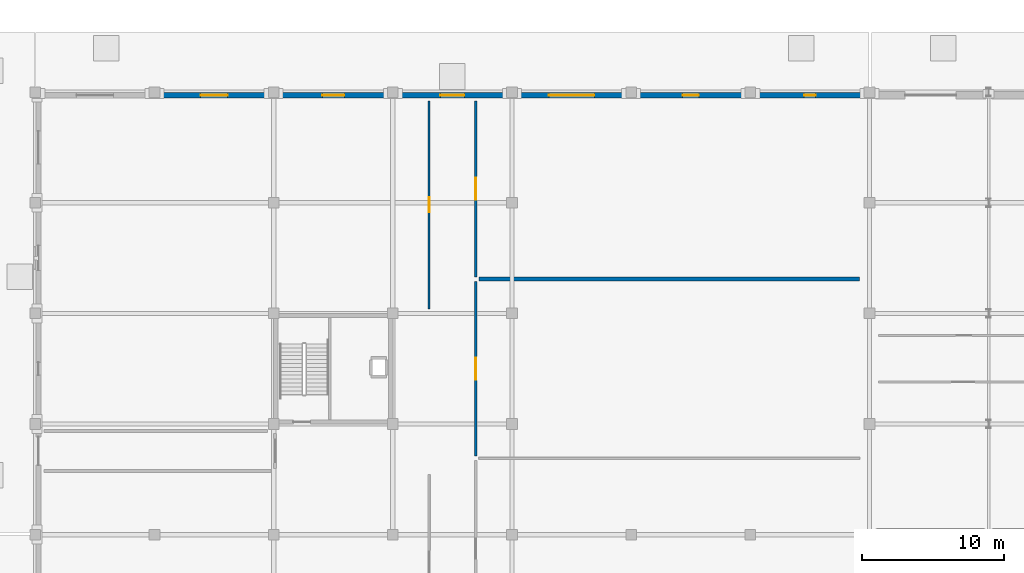
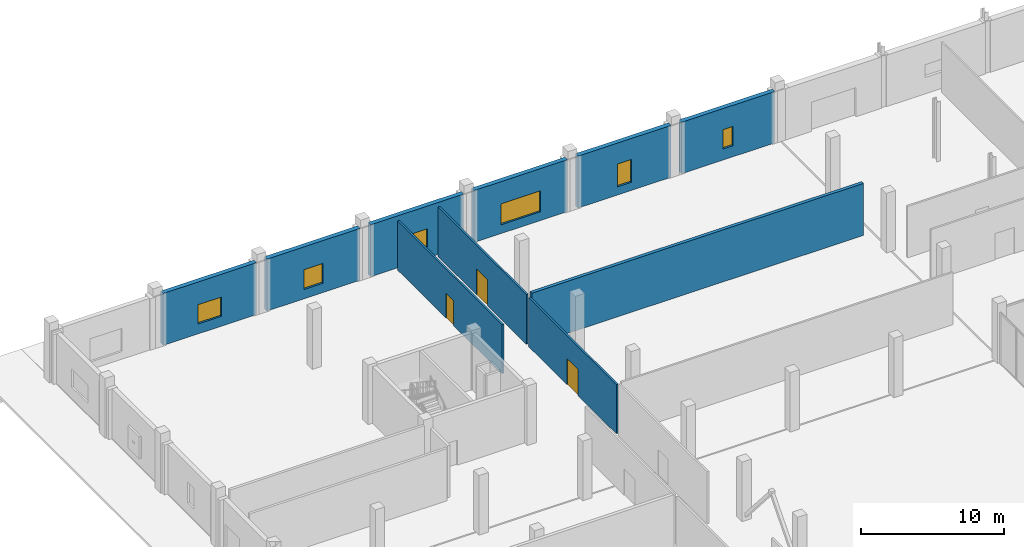
# One storey, part 51 of 80: 10 walls, 6 windows, 3 doors, 9 openings.
"""IFC4 building model written with IfcOpenShell, lengths in metres."""

from ifc_helpers import new_model, si_unit, direction, frame, frame_2d, origin, place, context, subcontext, project, spatial, rectangle, extrude, material, layer, layer_set, type_object, element, fill, save


model = new_model("IFC4")

# Units and contexts
model_context = context("Model", 3, precision=1e-05, world=origin(), true_north=direction((0.0, 1.0)))
body_context = subcontext(model_context, "Body", "Model", "MODEL_VIEW")
ifc_project = project(units=[si_unit("LENGTHUNIT", "METRE"), si_unit("AREAUNIT", "SQUARE_METRE"), si_unit("VOLUMEUNIT", "CUBIC_METRE"), si_unit("PLANEANGLEUNIT", "RADIAN"), si_unit("MASSUNIT", "GRAM", prefix="KILO")], contexts=[model_context])

# Site, building, storey
site_placement = place(None, origin())
site = spatial("IfcSite", under=ifc_project, at=site_placement, CompositionType="ELEMENT")
building_placement = place(site_placement, origin())
building = spatial("IfcBuilding", under=site, at=building_placement, Name="Nabrawat Pavilion Hospital", CompositionType="ELEMENT")
storey_placement = place(building_placement, origin())
storey = spatial("IfcBuildingStorey", under=building, at=storey_placement, Name="L00", CompositionType="ELEMENT", Elevation=0.0)

# Wall, opening, door
ifc_material_1 = material(Name="Gypsum Fireboard on Steel Stud", Category="steel")
ifc_layer_1 = layer(ifc_material_1, 0.14990234375, Name="Gypsum Fireboard on Steel Stud")
ifc_layer_set_1 = layer_set([ifc_layer_1], Name="Gypsum Fireboard on Steel Stud")
wall_type_1 = type_object("IfcWallType", Name="Clinical Corridor Smoke-Barrier Wall 150", PredefinedType="PARTITIONING", material=ifc_layer_set_1)
wall_1_placement = place(storey_placement, frame((27.760009765625, 101.719970703125, 0.0), z_axis=(0.0, 0.0, 1.0), x_axis=(0.0, 1.0, 0.0)))
wall_1 = element("IfcWall", 1, at=wall_1_placement, inside=storey, type_object=wall_type_1, Name="L00 Acute Endoscopy Procedure Room L00-05 Front Partition", PredefinedType="PARTITIONING", context=body_context, shape_type="SweptSolid", body=[
    extrude(rectangle(XDim=14.659912109375, YDim=0.14990234375, at=frame_2d((7.330078125, 0.0))), origin(), (0.0, 0.0, 1.0), 4.2099609375),
])
opening_1_placement = place(wall_1_placement, frame((6.804931640625, 0.0, 0.0)))
opening_1 = element("IfcOpeningElement", 2, at=opening_1_placement, cuts=wall_1, Name="Opening D-OPC-L", PredefinedType="OPENING", context=body_context, shape_type="SweptSolid", body=[
    extrude(rectangle(XDim=1.050048828125, YDim=2.14990234375, at=frame_2d((0.52490234375, 1.074951171875))), frame((0.0, 0.0849609375, 0.0), z_axis=(0.0, -1.0, 0.0), x_axis=(1.0, 0.0, 0.0)), (0.0, 0.0, 1.0), 0.169921875),
])
ifc_material_2 = material(Name="Stainless-Clad Acoustic Timber and Vision Glass", Category="wood")
door_type_1 = type_object("IfcDoorType", Name="Outpatient Clinic Consultation Door L 1050x2150", OperationType="NOTDEFINED", PredefinedType="DOOR", material=ifc_material_2)
door_1_placement = place(opening_1_placement, origin())
door_1 = element("IfcDoor", 3, at=door_1_placement, inside=storey, type_object=door_type_1, Name="Acute Endoscopy Procedure Room L00-05 Door", OperationType="SINGLE_SWING_RIGHT", OverallHeight=2.14990234375, OverallWidth=1.050048828125, PredefinedType="DOOR", context=body_context, shape_type="SweptSolid", body=[
    extrude(rectangle(XDim=1.050048828125, YDim=2.14990234375, at=frame_2d((0.52490234375, 1.074951171875))), frame((0.0, 0.02490234375, 0.0), z_axis=(0.0, -1.0, 0.0), x_axis=(1.0, 0.0, 0.0)), (0.0, 0.0, 1.0), 0.050048828125),
])
fill(opening_1, door_1)

wall_2_placement = place(storey_placement, frame((31.0400390625, 91.340087890625, 0.0), z_axis=(0.0, 0.0, 1.0), x_axis=(0.0, 1.0, 0.0)))
wall_2 = element("IfcWall", 4, at=wall_2_placement, inside=storey, type_object=wall_type_1, Name="L00 Diagnostic Imaging Digital X-Ray Room L00-09 Front Partition", PredefinedType="PARTITIONING", context=body_context, shape_type="SweptSolid", body=[
    extrude(rectangle(XDim=12.31982421875, YDim=0.14990234375, at=frame_2d((6.159912109375, 0.0))), origin(), (0.0, 0.0, 1.0), 4.2099609375),
])
opening_2_placement = place(wall_2_placement, frame((5.385009765625, 0.0, 0.0)))
opening_2 = element("IfcOpeningElement", 5, at=opening_2_placement, cuts=wall_2, Name="Opening D-IMG", PredefinedType="OPENING", context=body_context, shape_type="SweptSolid", body=[
    extrude(rectangle(XDim=1.550048828125, YDim=2.25, at=frame_2d((0.77490234375, 1.125))), frame((0.0, 0.0849609375, 0.0), z_axis=(0.0, -1.0, 0.0), x_axis=(1.0, 0.0, 0.0)), (0.0, 0.0, 1.0), 0.169921875),
])
door_type_2 = type_object("IfcDoorType", Name="Lead-Lined Radiology Shielded Door 1550x2250", OperationType="NOTDEFINED", PredefinedType="DOOR", material=ifc_material_2)
door_2_placement = place(opening_2_placement, origin())
door_2 = element("IfcDoor", 6, at=door_2_placement, inside=storey, type_object=door_type_2, Name="Diagnostic Imaging Digital X-Ray Room L00-09 Door", OperationType="SINGLE_SWING_RIGHT", OverallHeight=2.25, OverallWidth=1.550048828125, PredefinedType="DOOR", context=body_context, shape_type="SweptSolid", body=[
    extrude(rectangle(XDim=1.550048828125, YDim=2.25, at=frame_2d((0.77490234375, 1.125))), frame((0.0, 0.02490234375, 0.0), z_axis=(0.0, -1.0, 0.0), x_axis=(1.0, 0.0, 0.0)), (0.0, 0.0, 1.0), 0.050048828125),
])
fill(opening_2, door_2)

wall_3_placement = place(storey_placement, frame((31.0400390625, 103.97998046875, 0.0), z_axis=(0.0, 0.0, 1.0), x_axis=(0.0, 1.0, 0.0)))
wall_3 = element("IfcWall", 7, at=wall_3_placement, inside=storey, type_object=wall_type_1, Name="L00 Diagnostic Imaging Ultrasound Suite L00-10 Front Partition", PredefinedType="PARTITIONING", context=body_context, shape_type="SweptSolid", body=[
    extrude(rectangle(XDim=12.39990234375, YDim=0.14990234375, at=frame_2d((6.199951171875, 0.0))), origin(), (0.0, 0.0, 1.0), 4.260009765625),
])
opening_3_placement = place(wall_3_placement, frame((5.425048828125, 0.0, 0.0)))
opening_3 = element("IfcOpeningElement", 8, at=opening_3_placement, cuts=wall_3, Name="Opening D-IMG", PredefinedType="OPENING", context=body_context, shape_type="SweptSolid", body=[
    extrude(rectangle(XDim=1.550048828125, YDim=2.25, at=frame_2d((0.77490234375, 1.125))), frame((0.0, 0.0849609375, 0.0), z_axis=(0.0, -1.0, 0.0), x_axis=(1.0, 0.0, 0.0)), (0.0, 0.0, 1.0), 0.169921875),
])
door_3_placement = place(opening_3_placement, origin())
door_3 = element("IfcDoor", 9, at=door_3_placement, inside=storey, type_object=door_type_2, Name="Diagnostic Imaging Ultrasound Suite L00-10 Door", OperationType="SINGLE_SWING_LEFT", OverallHeight=2.25, OverallWidth=1.550048828125, PredefinedType="DOOR", context=body_context, shape_type="SweptSolid", body=[
    extrude(rectangle(XDim=1.550048828125, YDim=2.25, at=frame_2d((0.77490234375, 1.125))), frame((0.0, 0.02490234375, 0.0), z_axis=(0.0, -1.0, 0.0), x_axis=(1.0, 0.0, 0.0)), (0.0, 0.0, 1.0), 0.050048828125),
])
fill(opening_3, door_3)

# Wall
ifc_material_3 = material(Name="Barium Concrete Block", Category="concrete")
ifc_layer_2 = layer(ifc_material_3, 0.260009765625, Name="Barium Concrete Block")
ifc_layer_set_2 = layer_set([ifc_layer_2], Name="Barium Concrete Block")
wall_type_2 = type_object("IfcWallType", Name="Diagnostic X-Ray Barium-Plaster Wall 260", PredefinedType="PARTITIONING", material=ifc_layer_set_2)
wall_4_placement = place(storey_placement, frame((31.260009765625, 103.820068359375, 0.0), z_axis=(0.0, 0.0, 1.0), x_axis=(1.0, 0.0, 0.0)))
element("IfcWall", 10, at=wall_4_placement, inside=storey, type_object=wall_type_2, Name="L00 Diagnostic Imaging Digital X-Ray Room L00-09 Dividing Partition", PredefinedType="PARTITIONING", context=body_context, shape_type="SweptSolid", body=[
    extrude(rectangle(XDim=26.85009765625, YDim=0.260009765625, at=frame_2d((13.425048828125, 0.0))), origin(), (0.0, 0.0, 1.0), 4.4599609375),
])

# Wall, opening, window
ifc_material_4 = material(Name="Precast concrete C40/50", Category="concrete")
ifc_layer_3 = layer(ifc_material_4, 0.360107421875, Name="Precast concrete C40/50")
ifc_layer_set_3 = layer_set([ifc_layer_3], Name="Precast concrete C40/50")
wall_type_3 = type_object("IfcWallType", Name="Surgical Acoustic Precast Facade Wall 360", PredefinedType="SOLIDWALL", material=ifc_layer_set_3)
wall_5_placement = place(storey_placement, frame((8.824951171875, 116.780029296875, 0.0), z_axis=(0.0, 0.0, 1.0), x_axis=(1.0, 0.0, 0.0)))
wall_5 = element("IfcWall", 11, at=wall_5_placement, inside=storey, type_object=wall_type_3, Name="L00 Surgical Acoustic Precast Facade Wall 360 108", PredefinedType="SOLIDWALL", context=body_context, shape_type="SweptSolid", body=[
    extrude(rectangle(XDim=7.550048828125, YDim=0.360107421875, at=frame_2d((3.77490234375, 0.0))), origin(), (0.0, 0.0, 1.0), 4.449951171875),
])
opening_4_placement = place(wall_5_placement, frame((2.824951171875, 0.0, 0.85009765625)))
opening_4 = element("IfcOpeningElement", 12, at=opening_4_placement, cuts=wall_5, Name="Opening WN-23", PredefinedType="OPENING", context=body_context, shape_type="SweptSolid", body=[
    extrude(rectangle(XDim=1.89990234375, YDim=1.64990234375, at=frame_2d((0.949951171875, 0.824951171875))), frame((0.0, 0.18994140625, 0.0), z_axis=(0.0, -1.0, 0.0), x_axis=(1.0, 0.0, 0.0)), (0.0, 0.0, 1.0), 0.380126953125),
])
ifc_material_5 = material(Name="Thermally Broken Aluminium and Solar Glass", Category="aluminium")
window_type_1 = type_object("IfcWindowType", Name="Dialysis Bay Garden Window 1900x1650", PartitioningType="SINGLE_PANEL", PredefinedType="WINDOW", material=ifc_material_5)
window_1_placement = place(opening_4_placement, origin())
window_1 = element("IfcWindow", 13, at=window_1_placement, inside=storey, type_object=window_type_1, Name="L00 Dialysis Bay Garden Window 1900x1650 023", OverallHeight=1.64990234375, OverallWidth=1.89990234375, PartitioningType="SINGLE_PANEL", PredefinedType="WINDOW", context=body_context, shape_type="SweptSolid", body=[
    extrude(rectangle(XDim=1.89990234375, YDim=1.64990234375, at=frame_2d((0.949951171875, 0.824951171875))), frame((0.0, 0.030029296875, 0.0), z_axis=(0.0, -1.0, 0.0), x_axis=(1.0, 0.0, 0.0)), (0.0, 0.0, 1.0), 0.06005859375),
])
fill(opening_4, window_1)

wall_6_placement = place(storey_placement, frame((17.22509765625, 116.780029296875, 0.0), z_axis=(0.0, 0.0, 1.0), x_axis=(1.0, 0.0, 0.0)))
wall_6 = element("IfcWall", 14, at=wall_6_placement, inside=storey, type_object=wall_type_3, Name="L00 Surgical Acoustic Precast Facade Wall 360 109", PredefinedType="SOLIDWALL", context=body_context, shape_type="SweptSolid", body=[
    extrude(rectangle(XDim=7.5498046875, YDim=0.360107421875, at=frame_2d((3.77490234375, 0.0))), origin(), (0.0, 0.0, 1.0), 4.449951171875),
])
opening_5_placement = place(wall_6_placement, frame((3.0, 0.0, 0.800048828125)))
opening_5 = element("IfcOpeningElement", 15, at=opening_5_placement, cuts=wall_6, Name="Opening WN-24", PredefinedType="OPENING", context=body_context, shape_type="SweptSolid", body=[
    extrude(rectangle(XDim=1.550048828125, YDim=1.699951171875, at=frame_2d((0.77490234375, 0.85009765625))), frame((0.0, 0.18994140625, 0.0), z_axis=(0.0, -1.0, 0.0), x_axis=(1.0, 0.0, 0.0)), (0.0, 0.0, 1.0), 0.380126953125),
])
window_type_2 = type_object("IfcWindowType", Name="Maternity Birthing Suite Window 1550x1700", PartitioningType="SINGLE_PANEL", PredefinedType="WINDOW", material=ifc_material_5)
window_2_placement = place(opening_5_placement, origin())
window_2 = element("IfcWindow", 16, at=window_2_placement, inside=storey, type_object=window_type_2, Name="L00 Maternity Birthing Suite Window 1550x1700 024", OverallHeight=1.699951171875, OverallWidth=1.550048828125, PartitioningType="SINGLE_PANEL", PredefinedType="WINDOW", context=body_context, shape_type="SweptSolid", body=[
    extrude(rectangle(XDim=1.550048828125, YDim=1.699951171875, at=frame_2d((0.77490234375, 0.85009765625))), frame((0.0, 0.030029296875, 0.0), z_axis=(0.0, -1.0, 0.0), x_axis=(1.0, 0.0, 0.0)), (0.0, 0.0, 1.0), 0.06005859375),
])
fill(opening_5, window_2)

wall_7_placement = place(storey_placement, frame((25.625, 116.780029296875, 0.0), z_axis=(0.0, 0.0, 1.0), x_axis=(1.0, 0.0, 0.0)))
wall_7 = element("IfcWall", 17, at=wall_7_placement, inside=storey, type_object=wall_type_3, Name="L00 Surgical Acoustic Precast Facade Wall 360 110", PredefinedType="SOLIDWALL", context=body_context, shape_type="SweptSolid", body=[
    extrude(rectangle(XDim=7.550048828125, YDim=0.360107421875, at=frame_2d((3.77490234375, 0.0))), origin(), (0.0, 0.0, 1.0), 4.449951171875),
])
opening_6_placement = place(wall_7_placement, frame((2.925048828125, 0.0, 0.949951171875)))
opening_6 = element("IfcOpeningElement", 18, at=opening_6_placement, cuts=wall_7, Name="Opening WN-25", PredefinedType="OPENING", context=body_context, shape_type="SweptSolid", body=[
    extrude(rectangle(XDim=1.699951171875, YDim=1.550048828125, at=frame_2d((0.85009765625, 0.77490234375))), frame((0.0, 0.18994140625, 0.0), z_axis=(0.0, -1.0, 0.0), x_axis=(1.0, 0.0, 0.0)), (0.0, 0.0, 1.0), 0.380126953125),
])
window_type_3 = type_object("IfcWindowType", Name="Cardiology Telemetry Window 1700x1550", PartitioningType="SINGLE_PANEL", PredefinedType="WINDOW", material=ifc_material_5)
window_3_placement = place(opening_6_placement, origin())
window_3 = element("IfcWindow", 19, at=window_3_placement, inside=storey, type_object=window_type_3, Name="L00 Cardiology Telemetry Window 1700x1550 025", OverallHeight=1.550048828125, OverallWidth=1.699951171875, PartitioningType="SINGLE_PANEL", PredefinedType="WINDOW", context=body_context, shape_type="SweptSolid", body=[
    extrude(rectangle(XDim=1.699951171875, YDim=1.550048828125, at=frame_2d((0.85009765625, 0.77490234375))), frame((0.0, 0.030029296875, 0.0), z_axis=(0.0, -1.0, 0.0), x_axis=(1.0, 0.0, 0.0)), (0.0, 0.0, 1.0), 0.06005859375),
])
fill(opening_6, window_3)

wall_8_placement = place(storey_placement, frame((34.02490234375, 116.780029296875, 0.0), z_axis=(0.0, 0.0, 1.0), x_axis=(1.0, 0.0, 0.0)))
wall_8 = element("IfcWall", 20, at=wall_8_placement, inside=storey, type_object=wall_type_3, Name="L00 Surgical Acoustic Precast Facade Wall 360 111", PredefinedType="SOLIDWALL", context=body_context, shape_type="SweptSolid", body=[
    extrude(rectangle(XDim=7.550048828125, YDim=0.360107421875, at=frame_2d((3.77490234375, 0.0))), origin(), (0.0, 0.0, 1.0), 4.449951171875),
])
opening_7_placement = place(wall_8_placement, frame((2.175048828125, 0.0, 0.75)))
opening_7 = element("IfcOpeningElement", 21, at=opening_7_placement, cuts=wall_8, Name="Opening WN-26", PredefinedType="OPENING", context=body_context, shape_type="SweptSolid", body=[
    extrude(rectangle(XDim=3.199951171875, YDim=1.800048828125, at=frame_2d((1.60009765625, 0.89990234375))), frame((0.0, 0.18994140625, 0.0), z_axis=(0.0, -1.0, 0.0), x_axis=(1.0, 0.0, 0.0)), (0.0, 0.0, 1.0), 0.380126953125),
])
window_type_4 = type_object("IfcWindowType", Name="Dayroom Picture Window 3200x1800", PartitioningType="SINGLE_PANEL", PredefinedType="WINDOW", material=ifc_material_5)
window_4_placement = place(opening_7_placement, origin())
window_4 = element("IfcWindow", 22, at=window_4_placement, inside=storey, type_object=window_type_4, Name="L00 Dayroom Picture Window 3200x1800 026", OverallHeight=1.800048828125, OverallWidth=3.199951171875, PartitioningType="SINGLE_PANEL", PredefinedType="WINDOW", context=body_context, shape_type="SweptSolid", body=[
    extrude(rectangle(XDim=3.199951171875, YDim=1.800048828125, at=frame_2d((1.60009765625, 0.89990234375))), frame((0.0, 0.030029296875, 0.0), z_axis=(0.0, -1.0, 0.0), x_axis=(1.0, 0.0, 0.0)), (0.0, 0.0, 1.0), 0.06005859375),
])
fill(opening_7, window_4)

wall_9_placement = place(storey_placement, frame((42.425048828125, 116.780029296875, 0.0), z_axis=(0.0, 0.0, 1.0), x_axis=(1.0, 0.0, 0.0)))
wall_9 = element("IfcWall", 23, at=wall_9_placement, inside=storey, type_object=wall_type_3, Name="L00 Surgical Acoustic Precast Facade Wall 360 112", PredefinedType="SOLIDWALL", context=body_context, shape_type="SweptSolid", body=[
    extrude(rectangle(XDim=7.550048828125, YDim=0.360107421875, at=frame_2d((3.77490234375, 0.0))), origin(), (0.0, 0.0, 1.0), 4.449951171875),
])
opening_8_placement = place(wall_9_placement, frame((3.199951171875, 0.0, 0.699951171875)))
opening_8 = element("IfcOpeningElement", 24, at=opening_8_placement, cuts=wall_9, Name="Opening WN-27", PredefinedType="OPENING", context=body_context, shape_type="SweptSolid", body=[
    extrude(rectangle(XDim=1.14990234375, YDim=1.949951171875, at=frame_2d((0.574951171875, 0.97509765625))), frame((0.0, 0.18994140625, 0.0), z_axis=(0.0, -1.0, 0.0), x_axis=(1.0, 0.0, 0.0)), (0.0, 0.0, 1.0), 0.380126953125),
])
window_type_5 = type_object("IfcWindowType", Name="Clinical Library Tall Window 1150x1950", PartitioningType="SINGLE_PANEL", PredefinedType="WINDOW", material=ifc_material_5)
window_5_placement = place(opening_8_placement, origin())
window_5 = element("IfcWindow", 25, at=window_5_placement, inside=storey, type_object=window_type_5, Name="L00 Clinical Library Tall Window 1150x1950 027", OverallHeight=1.949951171875, OverallWidth=1.14990234375, PartitioningType="SINGLE_PANEL", PredefinedType="WINDOW", context=body_context, shape_type="SweptSolid", body=[
    extrude(rectangle(XDim=1.14990234375, YDim=1.949951171875, at=frame_2d((0.574951171875, 0.97509765625))), frame((0.0, 0.030029296875, 0.0), z_axis=(0.0, -1.0, 0.0), x_axis=(1.0, 0.0, 0.0)), (0.0, 0.0, 1.0), 0.06005859375),
])
fill(opening_8, window_5)

wall_10_placement = place(storey_placement, frame((50.824951171875, 116.780029296875, 0.0), z_axis=(0.0, 0.0, 1.0), x_axis=(1.0, 0.0, 0.0)))
wall_10 = element("IfcWall", 26, at=wall_10_placement, inside=storey, type_object=wall_type_3, Name="L00 Surgical Acoustic Precast Facade Wall 360 113", PredefinedType="SOLIDWALL", context=body_context, shape_type="SweptSolid", body=[
    extrude(rectangle(XDim=7.550048828125, YDim=0.360107421875, at=frame_2d((3.77490234375, 0.0))), origin(), (0.0, 0.0, 1.0), 4.409912109375),
])
opening_9_placement = place(wall_10_placement, frame((3.375, 0.0, 0.949951171875)))
opening_9 = element("IfcOpeningElement", 27, at=opening_9_placement, cuts=wall_10, Name="Opening WN-28", PredefinedType="OPENING", context=body_context, shape_type="SweptSolid", body=[
    extrude(rectangle(XDim=0.800048828125, YDim=1.64990234375, at=frame_2d((0.39990234375, 0.824951171875))), frame((0.0, 0.18994140625, 0.0), z_axis=(0.0, -1.0, 0.0), x_axis=(1.0, 0.0, 0.0)), (0.0, 0.0, 1.0), 0.380126953125),
])
window_type_6 = type_object("IfcWindowType", Name="Staff Rest Narrow Slot Window 800x1650", PartitioningType="SINGLE_PANEL", PredefinedType="WINDOW", material=ifc_material_5)
window_6_placement = place(opening_9_placement, origin())
window_6 = element("IfcWindow", 28, at=window_6_placement, inside=storey, type_object=window_type_6, Name="L00 Staff Rest Narrow Slot Window 800x1650 028", OverallHeight=1.64990234375, OverallWidth=0.800048828125, PartitioningType="SINGLE_PANEL", PredefinedType="WINDOW", context=body_context, shape_type="SweptSolid", body=[
    extrude(rectangle(XDim=0.800048828125, YDim=1.64990234375, at=frame_2d((0.39990234375, 0.824951171875))), frame((0.0, 0.030029296875, 0.0), z_axis=(0.0, -1.0, 0.0), x_axis=(1.0, 0.0, 0.0)), (0.0, 0.0, 1.0), 0.06005859375),
])
fill(opening_9, window_6)

save(model, "model.ifc")
